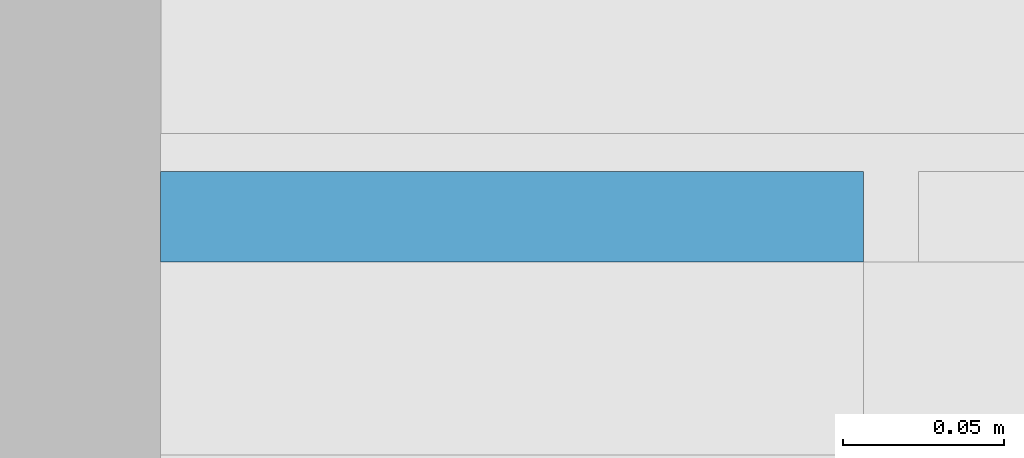
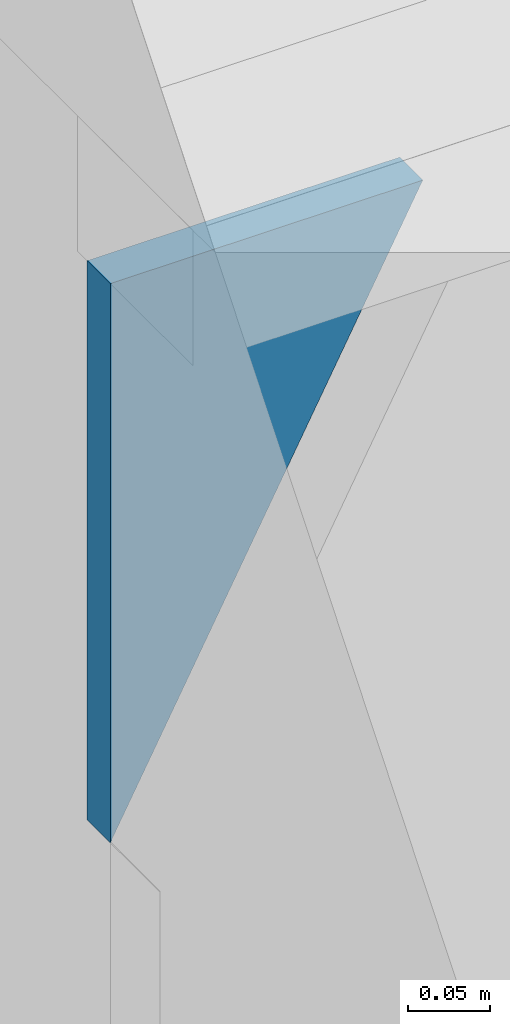
# One storey, part 16 of 26: 1 plate, 1 element without a shape of its own.
"""IFC4 building model written with IfcOpenShell, lengths in metres."""

from ifc_helpers import new_model, si_unit, direction, frame, origin, place, context, subcontext, project, spatial, polyline, outline, extrude, material, layer, layer_set, type_object, element, aggregate, save


model = new_model("IFC4")

# Units and contexts
model_context = context("Model", 3, precision=1e-05, world=origin(), true_north=direction((0.0, 1.0)))
body_context = subcontext(model_context, "Body", "Model", "MODEL_VIEW")
ifc_project = project(units=[si_unit("LENGTHUNIT", "METRE"), si_unit("AREAUNIT", "SQUARE_METRE"), si_unit("VOLUMEUNIT", "CUBIC_METRE"), si_unit("PLANEANGLEUNIT", "RADIAN"), si_unit("MASSUNIT", "GRAM", prefix="KILO")], contexts=[model_context])

# Site, building, storey
site_placement = place(None, origin())
site = spatial("IfcSite", under=ifc_project, at=site_placement, CompositionType="ELEMENT")
building_placement = place(site_placement, origin())
building = spatial("IfcBuilding", under=site, at=building_placement, Name="Tessera Arch", CompositionType="ELEMENT")
storey_placement = place(building_placement, frame((0.0, 0.0, 31.0)))
storey = spatial("IfcBuildingStorey", under=building, at=storey_placement, Name="L05", CompositionType="ELEMENT", Elevation=31.0)

# Curtain wall, plate
ifc_material_1 = material(Name="CW3 curtain wall")
curtain_wall_type = type_object("IfcCurtainWallType", Name="CW3 curtain wall", PredefinedType="NOTDEFINED", material=ifc_material_1)
curtain_wall_placement = place(storey_placement, origin())
curtain_wall = element("IfcCurtainWall", 1, at=curtain_wall_placement, inside=storey, type_object=curtain_wall_type, Name="CW3 curtain wall N54.0/2 L05", PredefinedType="NOTDEFINED")
ifc_material_2 = material(Name="Clear low-e glass", Category="glass")
ifc_material_3 = material(Name="Clear low-e glass", Category="glass")
ifc_layer = layer(ifc_material_3, 0.028076171875)
ifc_layer_set = layer_set([ifc_layer], Name="CW3 glass panel")
plate_type = type_object("IfcPlateType", Name="CW3 glass panel", PredefinedType="CURTAIN_PANEL", material=ifc_layer_set)
plate_placement = place(storey_placement, frame((27.89990234375, 54.05810546875, 2.39990234375), z_axis=(0.0, 1.0, 0.0), x_axis=(1.0, 0.0, 0.0)))
plate = element("IfcPlate", 2, at=plate_placement, type_object=plate_type, material=ifc_material_2, Name="CW3 triangulated glass panel N54.0/2 3", PredefinedType="CURTAIN_PANEL", context=body_context, shape_type="SweptSolid", body=[
    extrude(outline(polyline([(0.0, 0.0), (0.21875, 0.0), (0.0, 0.413818359375), (0.0, 0.0)])), origin(), (0.0, 0.0, -1.0), 0.028076171875),
])
aggregate(curtain_wall, [plate])

save(model, "model.ifc")
